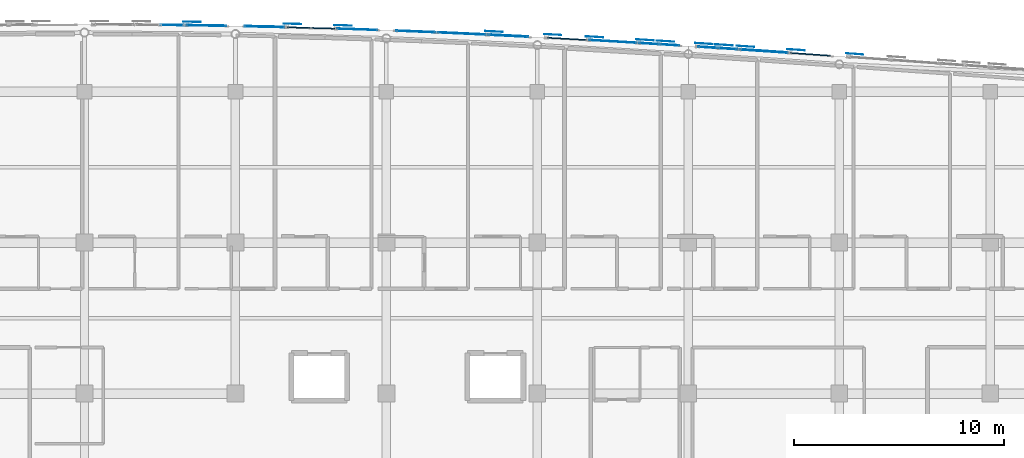
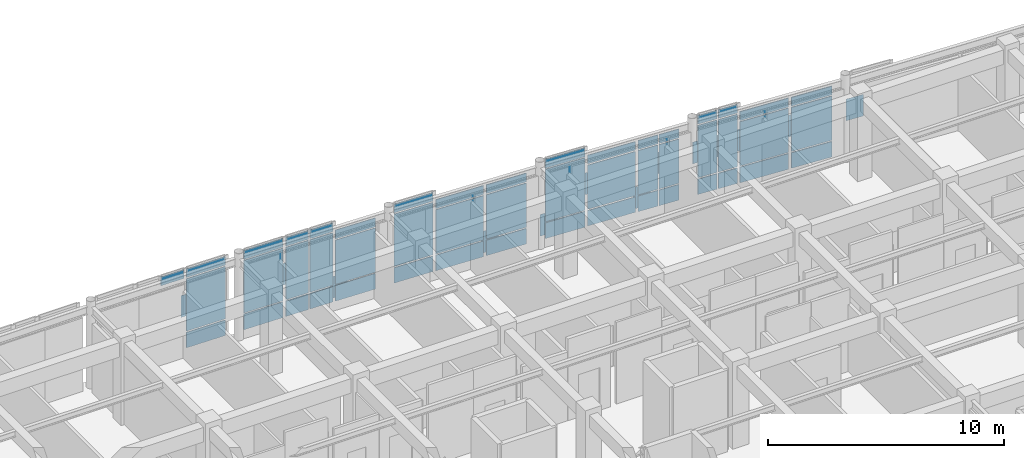
# One storey, part 66 of 106: 62 plates, 14 elements without a shape of their own.
"""IFC4 building model written with IfcOpenShell, lengths in metres."""

from ifc_helpers import new_model, si_unit, direction, frame, origin, origin_2d, place, context, subcontext, project, spatial, rectangle, extrude, material, layer, layer_set, type_object, element, aggregate, save


model = new_model("IFC4")

# Units and contexts
model_context = context("Model", 3, precision=1e-05, world=origin(), true_north=direction((0.0, 1.0)))
body_context = subcontext(model_context, "Body", "Model", "MODEL_VIEW")
ifc_project = project(units=[si_unit("LENGTHUNIT", "METRE"), si_unit("AREAUNIT", "SQUARE_METRE"), si_unit("VOLUMEUNIT", "CUBIC_METRE"), si_unit("PLANEANGLEUNIT", "RADIAN"), si_unit("MASSUNIT", "GRAM", prefix="KILO")], contexts=[model_context])

# Site, building, storey
site_placement = place(None, origin())
site = spatial("IfcSite", under=ifc_project, at=site_placement, CompositionType="ELEMENT")
building_placement = place(site_placement, origin())
building = spatial("IfcBuilding", under=site, at=building_placement, Name="Carrowvane Square Congress Hotel", CompositionType="ELEMENT")
storey_placement = place(building_placement, frame((0.0, 0.0, 10.5)))
storey = spatial("IfcBuildingStorey", under=building, at=storey_placement, Name="L02", CompositionType="ELEMENT", Elevation=10.5)

# Curtain wall, plates
ifc_material_1 = material(Name="Anodised aluminium", Category="aluminium")
ifc_layer_1 = layer(ifc_material_1, 0.162109375)
ifc_layer_set_1 = layer_set([ifc_layer_1], Name="Anodised aluminium")
curtain_wall_type_1 = type_object("IfcCurtainWallType", Name="CW-SYS-1", PredefinedType="NOTDEFINED", material=ifc_layer_set_1)
curtain_wall_1_placement = place(storey_placement, origin())
curtain_wall_1 = element("IfcCurtainWall", 1, at=curtain_wall_1_placement, inside=storey, type_object=curtain_wall_type_1, Name="L02 unitised curtain wall 160", PredefinedType="NOTDEFINED")
ifc_material_2 = material(Name="Double-glazed low-E glass", Category="glass")
ifc_layer_2 = layer(ifc_material_2, 0.028076171875)
ifc_layer_set_2 = layer_set([ifc_layer_2], Name="Double-glazed low-E glass")
plate_type_1 = type_object("IfcPlateType", Name="CW-PAN-1", PredefinedType="CURTAIN_PANEL", material=ifc_layer_set_2)
plate_1_placement = place(storey_placement, frame((111.0146484375, 116.371826171875, 0.06005859375), z_axis=(0.0, 0.0, 1.0), x_axis=(0.999403663525, -0.034529948347, 0.0)))
plate_1 = element("IfcPlate", 2, at=plate_1_placement, type_object=plate_type_1, Name="CW-1 panel 1.1", PredefinedType="CURTAIN_PANEL", context=body_context, shape_type="SweptSolid", body=[
    extrude(rectangle(XDim=1.91064453125, YDim=0.028076171875, at=origin_2d()), origin(), (0.0, 0.0, 1.0), 0.81005859375),
])
plate_2_placement = place(storey_placement, frame((111.0146484375, 116.371826171875, 0.929931640625), z_axis=(0.0, 0.0, 1.0), x_axis=(0.999403663525, -0.034529948347, 0.0)))
plate_2 = element("IfcPlate", 3, at=plate_2_placement, type_object=plate_type_1, Name="CW-1 panel 1.2", PredefinedType="CURTAIN_PANEL", context=body_context, shape_type="SweptSolid", body=[
    extrude(rectangle(XDim=1.91064453125, YDim=0.028076171875, at=origin_2d()), origin(), (0.0, 0.0, 1.0), 2.28564453125),
])
plate_3_placement = place(storey_placement, frame((111.0146484375, 116.371826171875, 3.275634765625), z_axis=(0.0, 0.0, 1.0), x_axis=(0.999403663525, -0.034529948347, 0.0)))
plate_3 = element("IfcPlate", 4, at=plate_3_placement, type_object=plate_type_1, Name="CW-1 panel 1.3", PredefinedType="CURTAIN_PANEL", context=body_context, shape_type="SweptSolid", body=[
    extrude(rectangle(XDim=1.91064453125, YDim=0.028076171875, at=origin_2d()), origin(), (0.0, 0.0, 1.0), 0.4599609375),
])
aggregate(curtain_wall_1, [plate_1, plate_2, plate_3])

ifc_material_3 = material(Name="Anodised aluminium", Category="aluminium")
ifc_layer_3 = layer(ifc_material_3, 0.221923828125)
ifc_layer_set_3 = layer_set([ifc_layer_3], Name="Anodised aluminium")
curtain_wall_type_2 = type_object("IfcCurtainWallType", Name="CW-SYS-6", PredefinedType="NOTDEFINED", material=ifc_layer_set_3)
curtain_wall_2_placement = place(storey_placement, origin())
curtain_wall_2 = element("IfcCurtainWall", 5, at=curtain_wall_2_placement, inside=storey, type_object=curtain_wall_type_2, Name="L02 unitised curtain wall 165", PredefinedType="NOTDEFINED")
plate_4_placement = place(storey_placement, frame((123.199951171875, 115.795166015625, 0.070068359375), z_axis=(0.0, 0.0, 1.0), x_axis=(0.998266763162, -0.058851249486, 0.0)))
plate_4 = element("IfcPlate", 6, at=plate_4_placement, type_object=plate_type_1, Name="CW-6 panel 1.1", PredefinedType="CURTAIN_PANEL", context=body_context, shape_type="SweptSolid", body=[
    extrude(rectangle(XDim=2.26416015625, YDim=0.028076171875, at=origin_2d()), origin(), (0.0, 0.0, 1.0), 0.794921875),
])
plate_5_placement = place(storey_placement, frame((123.199951171875, 115.795166015625, 0.93505859375), z_axis=(0.0, 0.0, 1.0), x_axis=(0.998266763162, -0.058851249486, 0.0)))
plate_5 = element("IfcPlate", 7, at=plate_5_placement, type_object=plate_type_1, Name="CW-6 panel 1.2", PredefinedType="CURTAIN_PANEL", context=body_context, shape_type="SweptSolid", body=[
    extrude(rectangle(XDim=2.26416015625, YDim=0.028076171875, at=origin_2d()), origin(), (0.0, 0.0, 1.0), 2.275634765625),
])
plate_6_placement = place(storey_placement, frame((123.199951171875, 115.795166015625, 3.28076171875), z_axis=(0.0, 0.0, 1.0), x_axis=(0.998266763162, -0.058851249486, 0.0)))
plate_6 = element("IfcPlate", 8, at=plate_6_placement, type_object=plate_type_1, Name="CW-6 panel 1.3", PredefinedType="CURTAIN_PANEL", context=body_context, shape_type="SweptSolid", body=[
    extrude(rectangle(XDim=2.26416015625, YDim=0.028076171875, at=origin_2d()), origin(), (0.0, 0.0, 1.0), 0.445068359375),
])
aggregate(curtain_wall_2, [plate_4, plate_5, plate_6])

# Curtain wall, plate
ifc_material_4 = material(Name="Anodised aluminium", Category="aluminium")
ifc_layer_4 = layer(ifc_material_4, 0.2099609375)
ifc_layer_set_4 = layer_set([ifc_layer_4], Name="Anodised aluminium")
curtain_wall_type_3 = type_object("IfcCurtainWallType", Name="CW-SYS-5", PredefinedType="NOTDEFINED", material=ifc_layer_set_4)
curtain_wall_3_placement = place(storey_placement, origin())
curtain_wall_3 = element("IfcCurtainWall", 9, at=curtain_wall_3_placement, inside=storey, type_object=curtain_wall_type_3, Name="L02 unitised curtain wall 156", PredefinedType="NOTDEFINED")
ifc_material_5 = material(Name="Double-glazed low-E glass", Category="glass")
ifc_layer_5 = layer(ifc_material_5, 0.031982421875)
ifc_layer_set_5 = layer_set([ifc_layer_5], Name="Double-glazed low-E glass")
plate_type_2 = type_object("IfcPlateType", Name="CW-PAN-2", PredefinedType="CURTAIN_PANEL", material=ifc_layer_set_5)
plate_7_placement = place(storey_placement, frame((102.18505859375, 116.57470703125, 3.699951171875), z_axis=(0.0, 0.0, 1.0), x_axis=(0.999952146231, -0.009782905924, 0.0)))
plate_7 = element("IfcPlate", 10, at=plate_7_placement, type_object=plate_type_2, Name="CW-5 panel 2.3", PredefinedType="CURTAIN_PANEL", context=body_context, shape_type="SweptSolid", body=[
    extrude(rectangle(XDim=1.110107421875, YDim=0.031982421875, at=origin_2d()), origin(), (0.0, 0.0, 1.0), 0.4599609375),
])
aggregate(curtain_wall_3, [plate_7])

# Curtain wall, plates
ifc_material_6 = material(Name="Anodised aluminium", Category="aluminium")
ifc_layer_6 = layer(ifc_material_6, 0.174072265625)
ifc_layer_set_6 = layer_set([ifc_layer_6], Name="Anodised aluminium")
curtain_wall_type_4 = type_object("IfcCurtainWallType", Name="CW-SYS-2", PredefinedType="NOTDEFINED", material=ifc_layer_set_6)
curtain_wall_4_placement = place(storey_placement, origin())
curtain_wall_4 = element("IfcCurtainWall", 11, at=curtain_wall_4_placement, inside=storey, type_object=curtain_wall_type_4, Name="L02 unitised curtain wall 161", PredefinedType="NOTDEFINED")
plate_8_placement = place(storey_placement, frame((113.79931640625, 116.267822265625, 0.070068359375), z_axis=(0.0, 0.0, 1.0), x_axis=(0.999194428656, -0.040130957403, 0.0)))
plate_8 = element("IfcPlate", 12, at=plate_8_placement, type_object=plate_type_2, Name="CW-2 panel 1.1", PredefinedType="CURTAIN_PANEL", context=body_context, shape_type="SweptSolid", body=[
    extrude(rectangle(XDim=1.86279296875, YDim=0.031982421875, at=origin_2d()), origin(), (0.0, 0.0, 1.0), 0.794921875),
])
plate_9_placement = place(storey_placement, frame((113.79931640625, 116.267822265625, 0.93505859375), z_axis=(0.0, 0.0, 1.0), x_axis=(0.999194428656, -0.040130957403, 0.0)))
plate_9 = element("IfcPlate", 13, at=plate_9_placement, type_object=plate_type_2, Name="CW-2 panel 1.2", PredefinedType="CURTAIN_PANEL", context=body_context, shape_type="SweptSolid", body=[
    extrude(rectangle(XDim=1.86279296875, YDim=0.031982421875, at=origin_2d()), origin(), (0.0, 0.0, 1.0), 2.699951171875),
])
plate_10_placement = place(storey_placement, frame((113.79931640625, 116.267822265625, 3.705078125), z_axis=(0.0, 0.0, 1.0), x_axis=(0.999194428656, -0.040130957403, 0.0)))
plate_10 = element("IfcPlate", 14, at=plate_10_placement, type_object=plate_type_2, Name="CW-2 panel 1.3", PredefinedType="CURTAIN_PANEL", context=body_context, shape_type="SweptSolid", body=[
    extrude(rectangle(XDim=1.86279296875, YDim=0.031982421875, at=origin_2d()), origin(), (0.0, 0.0, 1.0), 0.445068359375),
])
aggregate(curtain_wall_4, [plate_8, plate_9, plate_10])

ifc_material_7 = material(Name="Anodised aluminium", Category="aluminium")
ifc_layer_7 = layer(ifc_material_7, 0.23388671875)
ifc_layer_set_7 = layer_set([ifc_layer_7], Name="Anodised aluminium")
curtain_wall_type_5 = type_object("IfcCurtainWallType", Name="CW-SYS-7", PredefinedType="NOTDEFINED", material=ifc_layer_set_7)
curtain_wall_5_placement = place(storey_placement, origin())
curtain_wall_5 = element("IfcCurtainWall", 15, at=curtain_wall_5_placement, inside=storey, type_object=curtain_wall_type_5, Name="L02 unitised curtain wall 166", PredefinedType="NOTDEFINED")
plate_11_placement = place(storey_placement, frame((124.925048828125, 115.69140625, 0.06005859375), z_axis=(0.0, 0.0, 1.0), x_axis=(0.998051398046, -0.062397170272, 0.0)))
plate_11 = element("IfcPlate", 16, at=plate_11_placement, type_object=plate_type_2, Name="CW-7 panel 1.1", PredefinedType="CURTAIN_PANEL", context=body_context, shape_type="SweptSolid", body=[
    extrude(rectangle(XDim=0.931884765625, YDim=0.031982421875, at=origin_2d()), origin(), (0.0, 0.0, 1.0), 0.81005859375),
])
plate_12_placement = place(storey_placement, frame((124.925048828125, 115.69140625, 0.929931640625), z_axis=(0.0, 0.0, 1.0), x_axis=(0.998051398046, -0.062397170272, 0.0)))
plate_12 = element("IfcPlate", 17, at=plate_12_placement, type_object=plate_type_2, Name="CW-7 panel 1.2", PredefinedType="CURTAIN_PANEL", context=body_context, shape_type="SweptSolid", body=[
    extrude(rectangle(XDim=0.931884765625, YDim=0.031982421875, at=origin_2d()), origin(), (0.0, 0.0, 1.0), 2.28564453125),
])
plate_13_placement = place(storey_placement, frame((124.925048828125, 115.69140625, 3.275634765625), z_axis=(0.0, 0.0, 1.0), x_axis=(0.998051398046, -0.062397170272, 0.0)))
plate_13 = element("IfcPlate", 18, at=plate_13_placement, type_object=plate_type_2, Name="CW-7 panel 1.3", PredefinedType="CURTAIN_PANEL", context=body_context, shape_type="SweptSolid", body=[
    extrude(rectangle(XDim=0.931884765625, YDim=0.031982421875, at=origin_2d()), origin(), (0.0, 0.0, 1.0), 0.4599609375),
])
plate_14_placement = place(storey_placement, frame((125.9150390625, 115.629638671875, 0.06005859375), z_axis=(0.0, 0.0, 1.0), x_axis=(0.998051398046, -0.062397170272, 0.0)))
plate_14 = element("IfcPlate", 19, at=plate_14_placement, type_object=plate_type_2, Name="CW-7 panel 2.1", PredefinedType="CURTAIN_PANEL", context=body_context, shape_type="SweptSolid", body=[
    extrude(rectangle(XDim=0.931884765625, YDim=0.031982421875, at=origin_2d()), origin(), (0.0, 0.0, 1.0), 0.81005859375),
])
plate_15_placement = place(storey_placement, frame((125.9150390625, 115.629638671875, 0.929931640625), z_axis=(0.0, 0.0, 1.0), x_axis=(0.998051398046, -0.062397170272, 0.0)))
plate_15 = element("IfcPlate", 20, at=plate_15_placement, type_object=plate_type_2, Name="CW-7 panel 2.2", PredefinedType="CURTAIN_PANEL", context=body_context, shape_type="SweptSolid", body=[
    extrude(rectangle(XDim=0.931884765625, YDim=0.031982421875, at=origin_2d()), origin(), (0.0, 0.0, 1.0), 2.28564453125),
])
plate_16_placement = place(storey_placement, frame((125.9150390625, 115.629638671875, 3.275634765625), z_axis=(0.0, 0.0, 1.0), x_axis=(0.998051398046, -0.062397170272, 0.0)))
plate_16 = element("IfcPlate", 21, at=plate_16_placement, type_object=plate_type_2, Name="CW-7 panel 2.3", PredefinedType="CURTAIN_PANEL", context=body_context, shape_type="SweptSolid", body=[
    extrude(rectangle(XDim=0.931884765625, YDim=0.031982421875, at=origin_2d()), origin(), (0.0, 0.0, 1.0), 0.4599609375),
])
aggregate(curtain_wall_5, [plate_11, plate_12, plate_13, plate_14, plate_15, plate_16])

curtain_wall_6_placement = place(storey_placement, origin())
curtain_wall_6 = element("IfcCurtainWall", 22, at=curtain_wall_6_placement, inside=storey, type_object=curtain_wall_type_2, Name="L02 unitised curtain wall 157", PredefinedType="NOTDEFINED")
ifc_material_8 = material(Name="Double-glazed low-E glass", Category="glass")
ifc_layer_8 = layer(ifc_material_8, 0.035888671875)
ifc_layer_set_8 = layer_set([ifc_layer_8], Name="Double-glazed low-E glass")
plate_type_3 = type_object("IfcPlateType", Name="CW-PAN-3", PredefinedType="CURTAIN_PANEL", material=ifc_layer_set_8)
plate_17_placement = place(storey_placement, frame((103.811279296875, 116.55224609375, 0.070068359375), z_axis=(0.0, 0.0, 1.0), x_axis=(0.99986851233, -0.016215981364, 0.0)))
plate_17 = element("IfcPlate", 23, at=plate_17_placement, type_object=plate_type_3, Name="CW-6 panel 1.1", PredefinedType="CURTAIN_PANEL", context=body_context, shape_type="SweptSolid", body=[
    extrude(rectangle(XDim=1.8828125, YDim=0.035888671875, at=origin_2d()), origin(), (0.0, 0.0, 1.0), 0.794921875),
])
plate_18_placement = place(storey_placement, frame((103.811279296875, 116.55224609375, 0.93505859375), z_axis=(0.0, 0.0, 1.0), x_axis=(0.99986851233, -0.016215981364, 0.0)))
plate_18 = element("IfcPlate", 24, at=plate_18_placement, type_object=plate_type_3, Name="CW-6 panel 1.2", PredefinedType="CURTAIN_PANEL", context=body_context, shape_type="SweptSolid", body=[
    extrude(rectangle(XDim=1.8828125, YDim=0.035888671875, at=origin_2d()), origin(), (0.0, 0.0, 1.0), 2.699951171875),
])
plate_19_placement = place(storey_placement, frame((103.811279296875, 116.55224609375, 3.705078125), z_axis=(0.0, 0.0, 1.0), x_axis=(0.99986851233, -0.016215981364, 0.0)))
plate_19 = element("IfcPlate", 25, at=plate_19_placement, type_object=plate_type_3, Name="CW-6 panel 1.3", PredefinedType="CURTAIN_PANEL", context=body_context, shape_type="SweptSolid", body=[
    extrude(rectangle(XDim=1.8828125, YDim=0.035888671875, at=origin_2d()), origin(), (0.0, 0.0, 1.0), 0.445068359375),
])
aggregate(curtain_wall_6, [plate_17, plate_18, plate_19])

ifc_material_9 = material(Name="Anodised aluminium", Category="aluminium")
ifc_layer_9 = layer(ifc_material_9, 0.18603515625)
ifc_layer_set_9 = layer_set([ifc_layer_9], Name="Anodised aluminium")
curtain_wall_type_6 = type_object("IfcCurtainWallType", Name="CW-SYS-3", PredefinedType="NOTDEFINED", material=ifc_layer_set_9)
curtain_wall_7_placement = place(storey_placement, origin())
curtain_wall_7 = element("IfcCurtainWall", 26, at=curtain_wall_7_placement, inside=storey, type_object=curtain_wall_type_6, Name="L02 unitised curtain wall 162", PredefinedType="NOTDEFINED")
plate_20_placement = place(storey_placement, frame((116.0, 116.173095703125, 0.06005859375), z_axis=(0.0, 0.0, 1.0), x_axis=(0.998968385726, -0.045411059449, 0.0)))
plate_20 = element("IfcPlate", 27, at=plate_20_placement, type_object=plate_type_3, Name="CW-3 panel 1.1", PredefinedType="CURTAIN_PANEL", context=body_context, shape_type="SweptSolid", body=[
    extrude(rectangle(XDim=2.282470703125, YDim=0.035888671875, at=origin_2d()), origin(), (0.0, 0.0, 1.0), 0.81005859375),
])
plate_21_placement = place(storey_placement, frame((116.0, 116.173095703125, 0.929931640625), z_axis=(0.0, 0.0, 1.0), x_axis=(0.998968385726, -0.045411059449, 0.0)))
plate_21 = element("IfcPlate", 28, at=plate_21_placement, type_object=plate_type_3, Name="CW-3 panel 1.2", PredefinedType="CURTAIN_PANEL", context=body_context, shape_type="SweptSolid", body=[
    extrude(rectangle(XDim=2.282470703125, YDim=0.035888671875, at=origin_2d()), origin(), (0.0, 0.0, 1.0), 2.28564453125),
])
plate_22_placement = place(storey_placement, frame((116.0, 116.173095703125, 3.275634765625), z_axis=(0.0, 0.0, 1.0), x_axis=(0.998968385726, -0.045411059449, 0.0)))
plate_22 = element("IfcPlate", 29, at=plate_22_placement, type_object=plate_type_3, Name="CW-3 panel 1.3", PredefinedType="CURTAIN_PANEL", context=body_context, shape_type="SweptSolid", body=[
    extrude(rectangle(XDim=2.282470703125, YDim=0.035888671875, at=origin_2d()), origin(), (0.0, 0.0, 1.0), 0.4599609375),
])
aggregate(curtain_wall_7, [plate_20, plate_21, plate_22])

ifc_material_10 = material(Name="Anodised aluminium", Category="aluminium")
ifc_layer_10 = layer(ifc_material_10, 0.24609375)
ifc_layer_set_10 = layer_set([ifc_layer_10], Name="Anodised aluminium")
curtain_wall_type_7 = type_object("IfcCurtainWallType", Name="CW-SYS-8", PredefinedType="NOTDEFINED", material=ifc_layer_set_10)
curtain_wall_8_placement = place(storey_placement, origin())
curtain_wall_8 = element("IfcCurtainWall", 30, at=curtain_wall_8_placement, inside=storey, type_object=curtain_wall_type_7, Name="L02 unitised curtain wall 167", PredefinedType="NOTDEFINED")
plate_23_placement = place(storey_placement, frame((127.723876953125, 115.513671875, 0.070068359375), z_axis=(0.0, 0.0, 1.0), x_axis=(0.9978582145, -0.065413941589, 0.0)))
plate_23 = element("IfcPlate", 31, at=plate_23_placement, type_object=plate_type_3, Name="CW-8 panel 1.1", PredefinedType="CURTAIN_PANEL", context=body_context, shape_type="SweptSolid", body=[
    extrude(rectangle(XDim=0.89306640625, YDim=0.035888671875, at=origin_2d()), origin(), (0.0, 0.0, 1.0), 0.794921875),
])
plate_24_placement = place(storey_placement, frame((127.723876953125, 115.513671875, 0.93505859375), z_axis=(0.0, 0.0, 1.0), x_axis=(0.9978582145, -0.065413941589, 0.0)))
plate_24 = element("IfcPlate", 32, at=plate_24_placement, type_object=plate_type_3, Name="CW-8 panel 1.2", PredefinedType="CURTAIN_PANEL", context=body_context, shape_type="SweptSolid", body=[
    extrude(rectangle(XDim=0.89306640625, YDim=0.035888671875, at=origin_2d()), origin(), (0.0, 0.0, 1.0), 2.699951171875),
])
plate_25_placement = place(storey_placement, frame((127.723876953125, 115.513671875, 3.705078125), z_axis=(0.0, 0.0, 1.0), x_axis=(0.9978582145, -0.065413941589, 0.0)))
plate_25 = element("IfcPlate", 33, at=plate_25_placement, type_object=plate_type_3, Name="CW-8 panel 1.3", PredefinedType="CURTAIN_PANEL", context=body_context, shape_type="SweptSolid", body=[
    extrude(rectangle(XDim=0.89306640625, YDim=0.035888671875, at=origin_2d()), origin(), (0.0, 0.0, 1.0), 0.445068359375),
])
plate_26_placement = place(storey_placement, frame((128.6845703125, 115.45068359375, 0.070068359375), z_axis=(0.0, 0.0, 1.0), x_axis=(0.9978582145, -0.065413941589, 0.0)))
plate_26 = element("IfcPlate", 34, at=plate_26_placement, type_object=plate_type_3, Name="CW-8 panel 2.1", PredefinedType="CURTAIN_PANEL", context=body_context, shape_type="SweptSolid", body=[
    extrude(rectangle(XDim=0.89306640625, YDim=0.035888671875, at=origin_2d()), origin(), (0.0, 0.0, 1.0), 0.794921875),
])
plate_27_placement = place(storey_placement, frame((128.6845703125, 115.45068359375, 0.93505859375), z_axis=(0.0, 0.0, 1.0), x_axis=(0.9978582145, -0.065413941589, 0.0)))
plate_27 = element("IfcPlate", 35, at=plate_27_placement, type_object=plate_type_3, Name="CW-8 panel 2.2", PredefinedType="CURTAIN_PANEL", context=body_context, shape_type="SweptSolid", body=[
    extrude(rectangle(XDim=0.89306640625, YDim=0.035888671875, at=origin_2d()), origin(), (0.0, 0.0, 1.0), 2.699951171875),
])
plate_28_placement = place(storey_placement, frame((128.6845703125, 115.45068359375, 3.705078125), z_axis=(0.0, 0.0, 1.0), x_axis=(0.9978582145, -0.065413941589, 0.0)))
plate_28 = element("IfcPlate", 36, at=plate_28_placement, type_object=plate_type_3, Name="CW-8 panel 2.3", PredefinedType="CURTAIN_PANEL", context=body_context, shape_type="SweptSolid", body=[
    extrude(rectangle(XDim=0.89306640625, YDim=0.035888671875, at=origin_2d()), origin(), (0.0, 0.0, 1.0), 0.445068359375),
])
aggregate(curtain_wall_8, [plate_23, plate_24, plate_25, plate_26, plate_27, plate_28])

curtain_wall_9_placement = place(storey_placement, origin())
curtain_wall_9 = element("IfcCurtainWall", 37, at=curtain_wall_9_placement, inside=storey, type_object=curtain_wall_type_5, Name="L02 unitised curtain wall 158", PredefinedType="NOTDEFINED")
ifc_material_11 = material(Name="Double-glazed low-E glass", Category="glass")
ifc_layer_11 = layer(ifc_material_11, 0.0419921875)
ifc_layer_set_11 = layer_set([ifc_layer_11], Name="Double-glazed low-E glass")
plate_type_4 = type_object("IfcPlateType", Name="CW-PAN-4", PredefinedType="CURTAIN_PANEL", material=ifc_layer_set_11)
plate_29_placement = place(storey_placement, frame((106.59619140625, 116.498291015625, 0.06005859375), z_axis=(0.0, 0.0, 1.0), x_axis=(0.99974644475, -0.022517686606, 0.0)))
plate_29 = element("IfcPlate", 38, at=plate_29_placement, type_object=plate_type_4, Name="CW-7 panel 1.1", PredefinedType="CURTAIN_PANEL", context=body_context, shape_type="SweptSolid", body=[
    extrude(rectangle(XDim=1.88818359375, YDim=0.0419921875, at=origin_2d()), origin(), (0.0, 0.0, 1.0), 0.81005859375),
])
plate_30_placement = place(storey_placement, frame((106.59619140625, 116.498291015625, 0.929931640625), z_axis=(0.0, 0.0, 1.0), x_axis=(0.99974644475, -0.022517686606, 0.0)))
plate_30 = element("IfcPlate", 39, at=plate_30_placement, type_object=plate_type_4, Name="CW-7 panel 1.2", PredefinedType="CURTAIN_PANEL", context=body_context, shape_type="SweptSolid", body=[
    extrude(rectangle(XDim=1.88818359375, YDim=0.0419921875, at=origin_2d()), origin(), (0.0, 0.0, 1.0), 2.7099609375),
])
plate_31_placement = place(storey_placement, frame((106.59619140625, 116.498291015625, 3.699951171875), z_axis=(0.0, 0.0, 1.0), x_axis=(0.99974644475, -0.022517686606, 0.0)))
plate_31 = element("IfcPlate", 40, at=plate_31_placement, type_object=plate_type_4, Name="CW-7 panel 1.3", PredefinedType="CURTAIN_PANEL", context=body_context, shape_type="SweptSolid", body=[
    extrude(rectangle(XDim=1.88818359375, YDim=0.0419921875, at=origin_2d()), origin(), (0.0, 0.0, 1.0), 0.4599609375),
])
aggregate(curtain_wall_9, [plate_29, plate_30, plate_31])

ifc_material_12 = material(Name="Anodised aluminium", Category="aluminium")
ifc_layer_12 = layer(ifc_material_12, 0.197998046875)
ifc_layer_set_12 = layer_set([ifc_layer_12], Name="Anodised aluminium")
curtain_wall_type_8 = type_object("IfcCurtainWallType", Name="CW-SYS-4", PredefinedType="NOTDEFINED", material=ifc_layer_set_12)
curtain_wall_10_placement = place(storey_placement, origin())
curtain_wall_10 = element("IfcCurtainWall", 41, at=curtain_wall_10_placement, inside=storey, type_object=curtain_wall_type_8, Name="L02 unitised curtain wall 163", PredefinedType="NOTDEFINED")
plate_32_placement = place(storey_placement, frame((118.2177734375, 116.067138671875, 0.070068359375), z_axis=(0.0, 0.0, 1.0), x_axis=(0.998732955299, -0.050323791596, 0.0)))
plate_32 = element("IfcPlate", 42, at=plate_32_placement, type_object=plate_type_4, Name="CW-4 panel 1.1", PredefinedType="CURTAIN_PANEL", context=body_context, shape_type="SweptSolid", body=[
    extrude(rectangle(XDim=1.89794921875, YDim=0.0419921875, at=origin_2d()), origin(), (0.0, 0.0, 1.0), 0.794921875),
])
plate_33_placement = place(storey_placement, frame((118.2177734375, 116.067138671875, 0.93505859375), z_axis=(0.0, 0.0, 1.0), x_axis=(0.998732955299, -0.050323791596, 0.0)))
plate_33 = element("IfcPlate", 43, at=plate_33_placement, type_object=plate_type_4, Name="CW-4 panel 1.2", PredefinedType="CURTAIN_PANEL", context=body_context, shape_type="SweptSolid", body=[
    extrude(rectangle(XDim=1.89794921875, YDim=0.0419921875, at=origin_2d()), origin(), (0.0, 0.0, 1.0), 2.275634765625),
])
plate_34_placement = place(storey_placement, frame((118.2177734375, 116.067138671875, 3.28076171875), z_axis=(0.0, 0.0, 1.0), x_axis=(0.998732955299, -0.050323791596, 0.0)))
plate_34 = element("IfcPlate", 44, at=plate_34_placement, type_object=plate_type_4, Name="CW-4 panel 1.3", PredefinedType="CURTAIN_PANEL", context=body_context, shape_type="SweptSolid", body=[
    extrude(rectangle(XDim=1.89794921875, YDim=0.0419921875, at=origin_2d()), origin(), (0.0, 0.0, 1.0), 0.445068359375),
])
aggregate(curtain_wall_10, [plate_32, plate_33, plate_34])

curtain_wall_11_placement = place(storey_placement, origin())
curtain_wall_11 = element("IfcCurtainWall", 45, at=curtain_wall_11_placement, inside=storey, type_object=curtain_wall_type_1, Name="L02 unitised curtain wall 168", PredefinedType="NOTDEFINED")
plate_35_placement = place(storey_placement, frame((130.39990234375, 115.33544921875, 0.06005859375), z_axis=(0.0, 0.0, 1.0), x_axis=(0.99769420292, -0.067869562107, 0.0)))
plate_35 = element("IfcPlate", 46, at=plate_35_placement, type_object=plate_type_4, Name="CW-1 panel 1.1", PredefinedType="CURTAIN_PANEL", context=body_context, shape_type="SweptSolid", body=[
    extrude(rectangle(XDim=2.285400390625, YDim=0.0419921875, at=origin_2d()), origin(), (0.0, 0.0, 1.0), 0.81005859375),
])
plate_36_placement = place(storey_placement, frame((130.39990234375, 115.33544921875, 0.929931640625), z_axis=(0.0, 0.0, 1.0), x_axis=(0.99769420292, -0.067869562107, 0.0)))
plate_36 = element("IfcPlate", 47, at=plate_36_placement, type_object=plate_type_4, Name="CW-1 panel 1.2", PredefinedType="CURTAIN_PANEL", context=body_context, shape_type="SweptSolid", body=[
    extrude(rectangle(XDim=2.285400390625, YDim=0.0419921875, at=origin_2d()), origin(), (0.0, 0.0, 1.0), 2.28564453125),
])
plate_37_placement = place(storey_placement, frame((130.39990234375, 115.33544921875, 3.275634765625), z_axis=(0.0, 0.0, 1.0), x_axis=(0.99769420292, -0.067869562107, 0.0)))
plate_37 = element("IfcPlate", 48, at=plate_37_placement, type_object=plate_type_4, Name="CW-1 panel 1.3", PredefinedType="CURTAIN_PANEL", context=body_context, shape_type="SweptSolid", body=[
    extrude(rectangle(XDim=2.285400390625, YDim=0.0419921875, at=origin_2d()), origin(), (0.0, 0.0, 1.0), 0.4599609375),
])
aggregate(curtain_wall_11, [plate_35, plate_36, plate_37])

curtain_wall_12_placement = place(storey_placement, origin())
curtain_wall_12 = element("IfcCurtainWall", 49, at=curtain_wall_12_placement, inside=storey, type_object=curtain_wall_type_7, Name="L02 unitised curtain wall 159", PredefinedType="NOTDEFINED")
ifc_material_13 = material(Name="Double-glazed low-E glass", Category="glass")
ifc_layer_13 = layer(ifc_material_13, 0.048095703125)
ifc_layer_set_13 = layer_set([ifc_layer_13], Name="Double-glazed low-E glass")
plate_type_5 = type_object("IfcPlateType", Name="CW-PAN-5", PredefinedType="CURTAIN_PANEL", material=ifc_layer_set_13)
plate_38_placement = place(storey_placement, frame((108.217529296875, 116.4580078125, 0.070068359375), z_axis=(0.0, 0.0, 1.0), x_axis=(0.999589848065, -0.028638010501, 0.0)))
plate_38 = element("IfcPlate", 50, at=plate_38_placement, type_object=plate_type_5, Name="CW-8 panel 1.1", PredefinedType="CURTAIN_PANEL", context=body_context, shape_type="SweptSolid", body=[
    extrude(rectangle(XDim=1.095458984375, YDim=0.048095703125, at=origin_2d()), origin(), (0.0, 0.0, 1.0), 0.794921875),
])
plate_39_placement = place(storey_placement, frame((108.217529296875, 116.4580078125, 0.93505859375), z_axis=(0.0, 0.0, 1.0), x_axis=(0.999589848065, -0.028638010501, 0.0)))
plate_39 = element("IfcPlate", 51, at=plate_39_placement, type_object=plate_type_5, Name="CW-8 panel 1.2", PredefinedType="CURTAIN_PANEL", context=body_context, shape_type="SweptSolid", body=[
    extrude(rectangle(XDim=1.095458984375, YDim=0.048095703125, at=origin_2d()), origin(), (0.0, 0.0, 1.0), 2.699951171875),
])
plate_40_placement = place(storey_placement, frame((108.217529296875, 116.4580078125, 3.705078125), z_axis=(0.0, 0.0, 1.0), x_axis=(0.999589848065, -0.028638010501, 0.0)))
plate_40 = element("IfcPlate", 52, at=plate_40_placement, type_object=plate_type_5, Name="CW-8 panel 1.3", PredefinedType="CURTAIN_PANEL", context=body_context, shape_type="SweptSolid", body=[
    extrude(rectangle(XDim=1.095458984375, YDim=0.048095703125, at=origin_2d()), origin(), (0.0, 0.0, 1.0), 0.445068359375),
])
plate_41_placement = place(storey_placement, frame((109.382568359375, 116.424560546875, 0.070068359375), z_axis=(0.0, 0.0, 1.0), x_axis=(0.999589848065, -0.028638010501, 0.0)))
plate_41 = element("IfcPlate", 53, at=plate_41_placement, type_object=plate_type_5, Name="CW-8 panel 2.1", PredefinedType="CURTAIN_PANEL", context=body_context, shape_type="SweptSolid", body=[
    extrude(rectangle(XDim=1.095458984375, YDim=0.048095703125, at=origin_2d()), origin(), (0.0, 0.0, 1.0), 0.794921875),
])
plate_42_placement = place(storey_placement, frame((109.382568359375, 116.424560546875, 0.93505859375), z_axis=(0.0, 0.0, 1.0), x_axis=(0.999589848065, -0.028638010501, 0.0)))
plate_42 = element("IfcPlate", 54, at=plate_42_placement, type_object=plate_type_5, Name="CW-8 panel 2.2", PredefinedType="CURTAIN_PANEL", context=body_context, shape_type="SweptSolid", body=[
    extrude(rectangle(XDim=1.095458984375, YDim=0.048095703125, at=origin_2d()), origin(), (0.0, 0.0, 1.0), 2.699951171875),
])
plate_43_placement = place(storey_placement, frame((109.382568359375, 116.424560546875, 3.705078125), z_axis=(0.0, 0.0, 1.0), x_axis=(0.999589848065, -0.028638010501, 0.0)))
plate_43 = element("IfcPlate", 55, at=plate_43_placement, type_object=plate_type_5, Name="CW-8 panel 2.3", PredefinedType="CURTAIN_PANEL", context=body_context, shape_type="SweptSolid", body=[
    extrude(rectangle(XDim=1.095458984375, YDim=0.048095703125, at=origin_2d()), origin(), (0.0, 0.0, 1.0), 0.445068359375),
])
aggregate(curtain_wall_12, [plate_38, plate_39, plate_40, plate_41, plate_42, plate_43])

curtain_wall_13_placement = place(storey_placement, origin())
curtain_wall_13 = element("IfcCurtainWall", 56, at=curtain_wall_13_placement, inside=storey, type_object=curtain_wall_type_3, Name="L02 unitised curtain wall 164", PredefinedType="NOTDEFINED")
plate_44_placement = place(storey_placement, frame((121.002197265625, 115.920654296875, 0.06005859375), z_axis=(0.0, 0.0, 1.0), x_axis=(0.998496473856, -0.054815980317, 0.0)))
plate_44 = element("IfcPlate", 57, at=plate_44_placement, type_object=plate_type_5, Name="CW-5 panel 1.1", PredefinedType="CURTAIN_PANEL", context=body_context, shape_type="SweptSolid", body=[
    extrude(rectangle(XDim=1.87841796875, YDim=0.048095703125, at=origin_2d()), origin(), (0.0, 0.0, 1.0), 0.81005859375),
])
plate_45_placement = place(storey_placement, frame((121.002197265625, 115.920654296875, 0.929931640625), z_axis=(0.0, 0.0, 1.0), x_axis=(0.998496473856, -0.054815980317, 0.0)))
plate_45 = element("IfcPlate", 58, at=plate_45_placement, type_object=plate_type_5, Name="CW-5 panel 1.2", PredefinedType="CURTAIN_PANEL", context=body_context, shape_type="SweptSolid", body=[
    extrude(rectangle(XDim=1.87841796875, YDim=0.048095703125, at=origin_2d()), origin(), (0.0, 0.0, 1.0), 2.7099609375),
])
plate_46_placement = place(storey_placement, frame((121.002197265625, 115.920654296875, 3.699951171875), z_axis=(0.0, 0.0, 1.0), x_axis=(0.998496473856, -0.054815980317, 0.0)))
plate_46 = element("IfcPlate", 59, at=plate_46_placement, type_object=plate_type_5, Name="CW-5 panel 1.3", PredefinedType="CURTAIN_PANEL", context=body_context, shape_type="SweptSolid", body=[
    extrude(rectangle(XDim=1.87841796875, YDim=0.048095703125, at=origin_2d()), origin(), (0.0, 0.0, 1.0), 0.4599609375),
])
aggregate(curtain_wall_13, [plate_44, plate_45, plate_46])

curtain_wall_14_placement = place(storey_placement, origin())
curtain_wall_14 = element("IfcCurtainWall", 60, at=curtain_wall_14_placement, inside=storey, type_object=curtain_wall_type_4, Name="L02 unitised curtain wall 169", PredefinedType="NOTDEFINED")
plate_47_placement = place(storey_placement, frame((132.621337890625, 115.182373046875, 0.070068359375), z_axis=(0.0, 0.0, 1.0), x_axis=(0.997566119277, -0.069726879118, 0.0)))
plate_47 = element("IfcPlate", 61, at=plate_47_placement, type_object=plate_type_5, Name="CW-2 panel 1.1", PredefinedType="CURTAIN_PANEL", context=body_context, shape_type="SweptSolid", body=[
    extrude(rectangle(XDim=1.90771484375, YDim=0.048095703125, at=origin_2d()), origin(), (0.0, 0.0, 1.0), 0.794921875),
])
plate_48_placement = place(storey_placement, frame((132.621337890625, 115.182373046875, 0.93505859375), z_axis=(0.0, 0.0, 1.0), x_axis=(0.997566119277, -0.069726879118, 0.0)))
plate_48 = element("IfcPlate", 62, at=plate_48_placement, type_object=plate_type_5, Name="CW-2 panel 1.2", PredefinedType="CURTAIN_PANEL", context=body_context, shape_type="SweptSolid", body=[
    extrude(rectangle(XDim=1.90771484375, YDim=0.048095703125, at=origin_2d()), origin(), (0.0, 0.0, 1.0), 2.275634765625),
])
plate_49_placement = place(storey_placement, frame((132.621337890625, 115.182373046875, 3.28076171875), z_axis=(0.0, 0.0, 1.0), x_axis=(0.997566119277, -0.069726879118, 0.0)))
plate_49 = element("IfcPlate", 63, at=plate_49_placement, type_object=plate_type_5, Name="CW-2 panel 1.3", PredefinedType="CURTAIN_PANEL", context=body_context, shape_type="SweptSolid", body=[
    extrude(rectangle(XDim=1.90771484375, YDim=0.048095703125, at=origin_2d()), origin(), (0.0, 0.0, 1.0), 0.445068359375),
])
aggregate(curtain_wall_14, [plate_47, plate_48, plate_49])

# Plates
ifc_material_14 = material(Name="Champagne-gold anodised aluminium", Category="aluminium")
ifc_layer_14 = layer(ifc_material_14, 0.011962890625)
ifc_layer_set_14 = layer_set([ifc_layer_14], Name="Champagne-gold anodised aluminium")
plate_type_6 = type_object("IfcPlateType", Name="PLT-PIX-GOLD12", PredefinedType="SHEET", material=ifc_layer_set_14)
for number, where, z_axis, x_axis, name in (
    (64, (103.12744140625, 116.7294921875, 1.58984375), (0.0, 0.0, 1.0), (0.999868508772, -0.016216200758, 0.0), "Champagne-gold pixel screen plate 121"),
    (65, (107.929443359375, 116.63232421875, 1.58984375), (0.0, 0.0, 1.0), (0.999589805464, -0.028639497417, 0.0), "Champagne-gold pixel screen plate 122"),
    (66, (117.53271484375, 116.26806640625, 0.119873046875), (0.0, 0.0, 1.0), (0.998733066647, -0.050321581706, 0.0), "Champagne-gold pixel screen plate 124"),
    (67, (122.333984375, 116.012451171875, 1.58984375), (0.0, 0.0, 1.0), (0.998266695506, -0.05885239709, 0.0), "Champagne-gold pixel screen plate 126"),
    (68, (127.54345703125, 115.69189453125, 1.58984375), (0.0, 0.0, 1.0), (0.99785825325, -0.065413350476, 0.0), "Champagne-gold pixel screen plate 129"),
    (69, (128.504150390625, 115.62890625, 1.58984375), (0.0, 0.0, 1.0), (0.99785825325, -0.065413350476, 0.0), "Champagne-gold pixel screen plate 130"),
    (70, (131.935546875, 115.396728515625, 1.58984375), (0.0, 0.0, 1.0), (0.997566258056, -0.069724893606, 0.0), "Champagne-gold pixel screen plate 132"),
):
    element("IfcPlate", number, at=place(storey_placement, frame(where, z_axis=z_axis, x_axis=x_axis)), inside=storey, type_object=plate_type_6, Name=name, PredefinedType="SHEET", context=body_context, shape_type="SweptSolid", body=[
        extrude(rectangle(XDim=0.827880859375, YDim=0.011962890625, at=origin_2d()), origin(), (0.0, 0.0, 1.0), 1.1201171875),
    ])
ifc_material_15 = material(Name="Champagne-gold anodised aluminium", Category="aluminium")
ifc_layer_15 = layer(ifc_material_15, 0.008056640625)
ifc_layer_set_15 = layer_set([ifc_layer_15], Name="Champagne-gold anodised aluminium")
plate_type_7 = type_object("IfcPlateType", Name="PLT-PIX-GOLD8", PredefinedType="SHEET", material=ifc_layer_set_15)
for number, where, z_axis, x_axis, name in (
    (71, (110.3251953125, 116.559814453125, 0.119873046875), (0.0, 0.0, 1.0), (0.999403768784, -0.034526901703, 0.0), "Champagne-gold pixel screen plate 123"),
    (72, (120.332763671875, 116.12158203125, 0.119873046875), (0.0, 0.0, 1.0), (0.998496552462, -0.054814548441, 0.0), "Champagne-gold pixel screen plate 125"),
    (73, (124.7294921875, 115.8681640625, 0.119873046875), (0.0, 0.0, 1.0), (0.998051413269, -0.062396926785, 0.0), "Champagne-gold pixel screen plate 127"),
    (74, (125.719482421875, 115.80615234375, 1.58984375), (0.0, 0.0, 1.0), (0.998051413269, -0.062396926785, 0.0), "Champagne-gold pixel screen plate 128"),
    (75, (129.5302734375, 115.558837890625, 1.58984375), (0.0, 0.0, 1.0), (0.9976944394, -0.067866085713, 0.0), "Champagne-gold pixel screen plate 131"),
    (76, (134.7412109375, 115.19775390625, 1.58984375), (0.0, 0.0, 1.0), (0.997479379392, -0.070956942496, 0.0), "Champagne-gold pixel screen plate 133"),
):
    element("IfcPlate", number, at=place(storey_placement, frame(where, z_axis=z_axis, x_axis=x_axis)), inside=storey, type_object=plate_type_7, Name=name, PredefinedType="SHEET", context=body_context, shape_type="SweptSolid", body=[
        extrude(rectangle(XDim=0.827880859375, YDim=0.008056640625, at=origin_2d()), origin(), (0.0, 0.0, 1.0), 1.1201171875),
    ])

save(model, "model.ifc")
